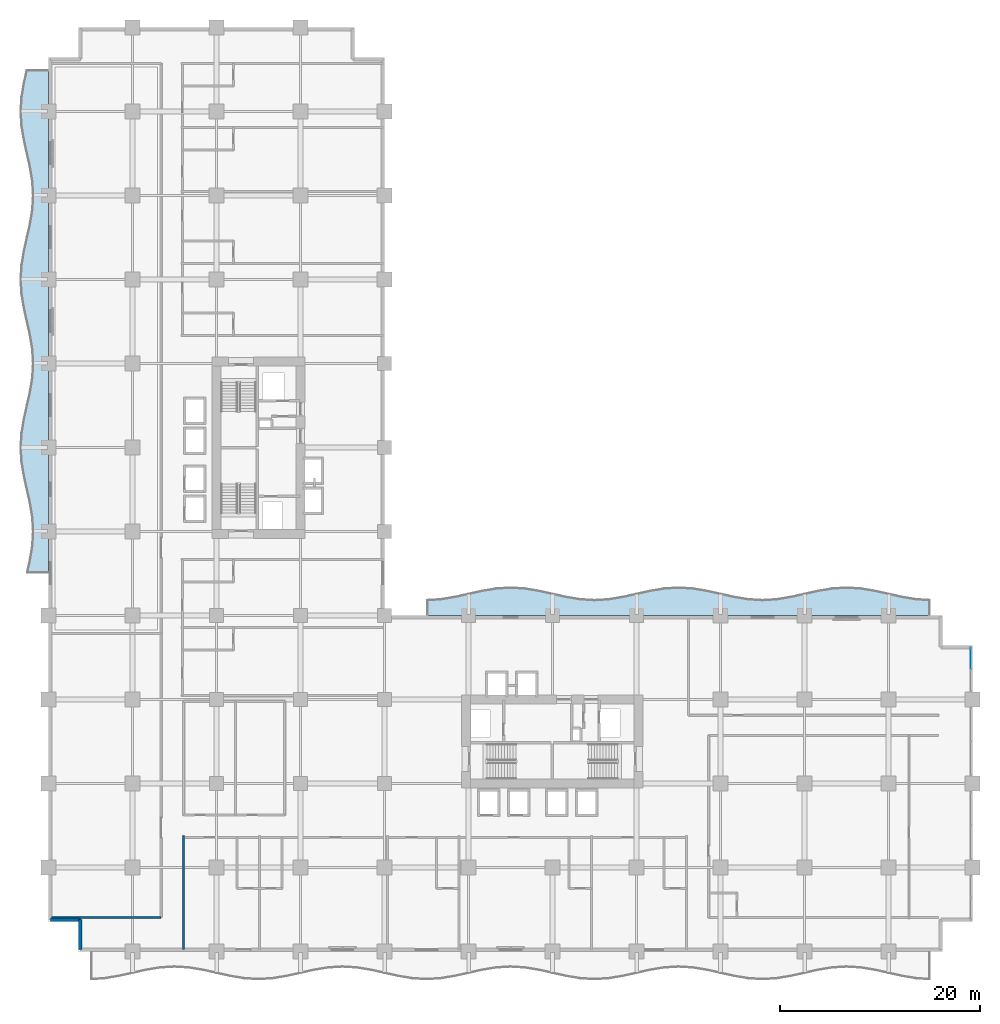
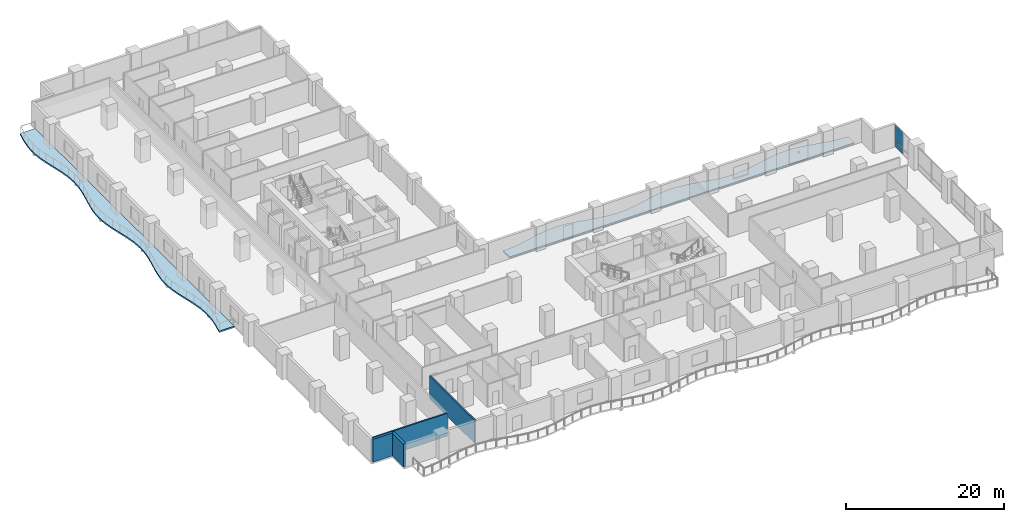
# One storey, part 9 of 27: 4 walls, 2 plates, 2 slabs, 1 element without a shape of its own.
"""IFC4 building model written with IfcOpenShell, lengths in metres."""

from ifc_helpers import new_model, si_unit, direction, frame, frame_2d, origin, origin_2d, place, context, subcontext, project, spatial, polyline, rectangle, outline, extrude, material, layer, layer_set, type_object, element, aggregate, save


model = new_model("IFC4")

# Units and contexts
model_context = context("Model", 3, precision=1e-05, world=origin(), true_north=direction((0.0, 1.0)))
body_context = subcontext(model_context, "Body", "Model", "MODEL_VIEW")
ifc_project = project(units=[si_unit("LENGTHUNIT", "METRE"), si_unit("AREAUNIT", "SQUARE_METRE"), si_unit("VOLUMEUNIT", "CUBIC_METRE"), si_unit("PLANEANGLEUNIT", "RADIAN"), si_unit("MASSUNIT", "GRAM", prefix="KILO")], contexts=[model_context])

# Site, building, storey
site_placement = place(None, origin())
site = spatial("IfcSite", under=ifc_project, at=site_placement, CompositionType="ELEMENT")
building_placement = place(site_placement, origin())
building = spatial("IfcBuilding", under=site, at=building_placement, Name="Koriwani Terraces Tower", CompositionType="ELEMENT")
storey_placement = place(building_placement, frame((0.0, 0.0, 54.800048828125)))
storey = spatial("IfcBuildingStorey", under=building, at=storey_placement, Name="L12", CompositionType="ELEMENT", Elevation=54.800048828125)

# Curtain wall, plates
ifc_material_1 = material(Name="Anodised Bronze Aluminium", Category="aluminium")
ifc_layer_1 = layer(ifc_material_1, 0.179931640625, Name="Anodised Bronze Aluminium")
ifc_layer_set_1 = layer_set([ifc_layer_1], Name="Anodised Bronze Aluminium")
curtain_wall_type = type_object("IfcCurtainWallType", Name="CW_HOTEL_ZONE1", PredefinedType="NOTDEFINED", material=ifc_layer_set_1)
curtain_wall_placement = place(storey_placement, origin())
curtain_wall = element("IfcCurtainWall", 1, at=curtain_wall_placement, inside=storey, type_object=curtain_wall_type, Name="L12 Unitised Curtain Wall (E_TIP) Bay 1", PredefinedType="NOTDEFINED")
ifc_material_2 = material(Name="Tempered Laminated Low-E Glass", Category="glass")
ifc_layer_2 = layer(ifc_material_2, 0.028076171875, Name="Tempered Laminated Low-E Glass")
ifc_layer_set_2 = layer_set([ifc_layer_2], Name="Tempered Laminated Low-E Glass")
plate_type = type_object("IfcPlateType", Name="CW_PANEL_VISION_28", PredefinedType="CURTAIN_PANEL", material=ifc_layer_set_2)
plate_1_placement = place(storey_placement, frame((92.22509765625, 29.302490234375, 0.06494140625), z_axis=(0.0, 0.0, 1.0), x_axis=(0.0, -1.0, 0.0)))
plate_1 = element("IfcPlate", 2, at=plate_1_placement, type_object=plate_type, Name="CW-Z1 panel 1.1", PredefinedType="CURTAIN_PANEL", context=body_context, shape_type="SweptSolid", body=[
    extrude(rectangle(XDim=2.094970703125, YDim=0.028076171875, at=origin_2d()), origin(), (0.0, 0.0, 1.0), 0.802490234375),
])
plate_2_placement = place(storey_placement, frame((92.22509765625, 29.302490234375, 0.9326171875), z_axis=(0.0, 0.0, 1.0), x_axis=(0.0, -1.0, 0.0)))
plate_2 = element("IfcPlate", 3, at=plate_2_placement, type_object=plate_type, Name="CW-Z1 panel 1.2", PredefinedType="CURTAIN_PANEL", context=body_context, shape_type="SweptSolid", body=[
    extrude(rectangle(XDim=2.094970703125, YDim=0.028076171875, at=origin_2d()), origin(), (0.0, 0.0, 1.0), 2.552490234375),
])
aggregate(curtain_wall, [plate_1, plate_2])

# Slabs
ifc_material_3 = material(Name="Concrete C40/50", Category="concrete")
ifc_layer_3 = layer(ifc_material_3, 0.219970703125, Name="Concrete C40/50")
ifc_layer_set_3 = layer_set([ifc_layer_3], Name="Concrete C40/50")
slab_type = type_object("IfcSlabType", Name="SLAB_BALCONY_220", PredefinedType="FLOOR", material=ifc_layer_set_3)
slab_1_placement = place(storey_placement, frame((0.0, 0.0, -0.219970703125)))
element("IfcSlab", 4, at=slab_1_placement, inside=storey, type_object=slab_type, Name="L12 Quilted Circular-Arc Balcony (W)", PredefinedType="FLOOR", context=body_context, shape_type="SweptSolid", body=[
    extrude(outline(polyline([(0.0, 37.800048828125), (0.0, 39.199951171875), (0.0, 40.60009765625), (0.0, 42.0), (0.0, 43.39990234375), (0.0, 44.800048828125), (0.0, 46.199951171875), (0.0, 47.60009765625), (0.0, 49.0), (0.0, 50.39990234375), (0.0, 51.800048828125), (0.0, 53.199951171875), (0.0, 54.60009765625), (0.0, 56.0), (0.0, 57.39990234375), (0.0, 58.800048828125), (0.0, 60.199951171875), (0.0, 61.60009765625), (0.0, 63.0), (0.0, 64.39990234375), (0.0, 65.800048828125), (0.0, 67.199951171875), (0.0, 68.60009765625), (0.0, 70.0), (0.0, 71.39990234375), (0.0, 72.800048828125), (0.0, 74.199951171875), (0.0, 75.60009765625), (0.0, 77.0), (0.0, 78.39990234375), (0.0, 79.800048828125), (0.0, 81.199951171875), (0.0, 82.60009765625), (0.0, 84.0), (0.0, 85.39990234375), (0.0, 86.800048828125), (0.0, 88.199951171875), (-2.22509765625, 88.199951171875), (-2.53759765625, 86.800048828125), (-2.766357421875, 85.39990234375), (-2.85009765625, 84.0), (-2.766357421875, 82.60009765625), (-2.53759765625, 81.199951171875), (-2.22509765625, 79.800048828125), (-1.91259765625, 78.39990234375), (-1.68359375, 77.0), (-1.60009765625, 75.60009765625), (-1.68359375, 74.199951171875), (-1.91259765625, 72.800048828125), (-2.22509765625, 71.39990234375), (-2.53759765625, 70.0), (-2.766357421875, 68.60009765625), (-2.85009765625, 67.199951171875), (-2.766357421875, 65.800048828125), (-2.53759765625, 64.39990234375), (-2.22509765625, 63.0), (-1.91259765625, 61.60009765625), (-1.68359375, 60.199951171875), (-1.60009765625, 58.800048828125), (-1.68359375, 57.39990234375), (-1.91259765625, 56.0), (-2.22509765625, 54.60009765625), (-2.53759765625, 53.199951171875), (-2.766357421875, 51.800048828125), (-2.85009765625, 50.39990234375), (-2.766357421875, 49.0), (-2.53759765625, 47.60009765625), (-2.22509765625, 46.199951171875), (-1.91259765625, 44.800048828125), (-1.68359375, 43.39990234375), (-1.60009765625, 42.0), (-1.68359375, 40.60009765625), (-1.91259765625, 39.199951171875), (-2.22509765625, 37.800048828125), (0.0, 37.800048828125)])), origin(), (0.0, 0.0, 1.0), 0.219970703125),
])
slab_2_placement = place(storey_placement, frame((0.0, 0.0, -0.219970703125)))
element("IfcSlab", 5, at=slab_2_placement, inside=storey, type_object=slab_type, Name="L12 Quilted Circular-Arc Balcony (NE)", PredefinedType="FLOOR", context=body_context, shape_type="SweptSolid", body=[
    extrude(outline(polyline([(88.199951171875, 33.60009765625), (86.800048828125, 33.60009765625), (85.39990234375, 33.60009765625), (84.0, 33.60009765625), (82.60009765625, 33.60009765625), (81.199951171875, 33.60009765625), (79.800048828125, 33.60009765625), (78.39990234375, 33.60009765625), (77.0, 33.60009765625), (75.60009765625, 33.60009765625), (74.199951171875, 33.60009765625), (72.800048828125, 33.60009765625), (71.39990234375, 33.60009765625), (70.0, 33.60009765625), (68.60009765625, 33.60009765625), (67.199951171875, 33.60009765625), (65.800048828125, 33.60009765625), (64.39990234375, 33.60009765625), (63.0, 33.60009765625), (61.60009765625, 33.60009765625), (60.199951171875, 33.60009765625), (58.800048828125, 33.60009765625), (57.39990234375, 33.60009765625), (56.0, 33.60009765625), (54.60009765625, 33.60009765625), (53.199951171875, 33.60009765625), (51.800048828125, 33.60009765625), (50.39990234375, 33.60009765625), (49.0, 33.60009765625), (47.60009765625, 33.60009765625), (46.199951171875, 33.60009765625), (44.800048828125, 33.60009765625), (43.39990234375, 33.60009765625), (42.0, 33.60009765625), (40.60009765625, 33.60009765625), (39.199951171875, 33.60009765625), (37.800048828125, 33.60009765625), (37.800048828125, 35.199951171875), (39.199951171875, 35.28369140625), (40.60009765625, 35.512451171875), (42.0, 35.824951171875), (43.39990234375, 36.137451171875), (44.800048828125, 36.3662109375), (46.199951171875, 36.449951171875), (47.60009765625, 36.3662109375), (49.0, 36.137451171875), (50.39990234375, 35.824951171875), (51.800048828125, 35.512451171875), (53.199951171875, 35.28369140625), (54.60009765625, 35.199951171875), (56.0, 35.28369140625), (57.39990234375, 35.512451171875), (58.800048828125, 35.824951171875), (60.199951171875, 36.137451171875), (61.60009765625, 36.3662109375), (63.0, 36.449951171875), (64.39990234375, 36.3662109375), (65.800048828125, 36.137451171875), (67.199951171875, 35.824951171875), (68.60009765625, 35.512451171875), (70.0, 35.28369140625), (71.39990234375, 35.199951171875), (72.800048828125, 35.28369140625), (74.199951171875, 35.512451171875), (75.60009765625, 35.824951171875), (77.0, 36.137451171875), (78.39990234375, 36.3662109375), (79.800048828125, 36.449951171875), (81.199951171875, 36.3662109375), (82.60009765625, 36.137451171875), (84.0, 35.824951171875), (85.39990234375, 35.512451171875), (86.800048828125, 35.28369140625), (88.199951171875, 35.199951171875), (88.199951171875, 33.60009765625)])), origin(), (0.0, 0.0, 1.0), 0.219970703125),
])

# Walls
ifc_material_4 = material(Name="Autoclaved Cellular Concrete Blockwork", Category="masonry")
ifc_layer_4 = layer(ifc_material_4, 0.219970703125, Name="Autoclaved Cellular Concrete Blockwork")
ifc_layer_set_4 = layer_set([ifc_layer_4], Name="Autoclaved Cellular Concrete Blockwork")
wall_type_1 = type_object("IfcWallType", Name="WALL_DEMISING_220", PredefinedType="PARTITIONING", material=ifc_layer_set_4)
wall_1_placement = place(storey_placement, frame((0.300048828125, 3.39990234375, 0.0), z_axis=(0.0, 0.0, 1.0), x_axis=(1.0, 0.0, 0.0)))
element("IfcWall", 6, at=wall_1_placement, inside=storey, type_object=wall_type_1, Name="L12 Interior Wall WZ1NWCLS-L12", PredefinedType="PARTITIONING", context=body_context, shape_type="SweptSolid", body=[
    extrude(rectangle(XDim=10.949951171875, YDim=0.219970703125, at=frame_2d((5.47509765625, 0.0))), origin(), (0.0, 0.0, 1.0), 3.550048828125),
])
wall_2_placement = place(storey_placement, frame((13.5, 0.199951171875, 0.0), z_axis=(0.0, 0.0, 1.0), x_axis=(0.0, 1.0, 0.0)))
element("IfcWall", 7, at=wall_2_placement, inside=storey, type_object=wall_type_1, Name="L12 Interior Wall WDEM-L12-SW-0", PredefinedType="PARTITIONING", context=body_context, shape_type="SweptSolid", body=[
    extrude(rectangle(XDim=11.380126953125, YDim=0.219970703125, at=frame_2d((5.68994140625, 0.0))), origin(), (0.0, 0.0, 1.0), 3.550048828125),
])
ifc_material_5 = material(Name="Concrete C50/60", Category="concrete")
ifc_layer_5 = layer(ifc_material_5, 0.35009765625, Name="Concrete C50/60")
ifc_layer_set_5 = layer_set([ifc_layer_5], Name="Concrete C50/60")
wall_type_2 = type_object("IfcWallType", Name="WALL_EXT_BRUTALIST_350", PredefinedType="STANDARD", material=ifc_layer_set_5)
for number, where, z_axis, x_axis, name in (
    (8, (3.175048828125, 0.175048828125, 0.0), (0.0, 0.0, 1.0), (0.0, 1.0, 0.0), "L12 Fair-Faced Brutalist Exterior Wall (N0)"),
    (9, (3.175048828125, 3.175048828125, 0.0), (0.0, 0.0, 1.0), (-1.0, 0.0, 0.0), "L12 Fair-Faced Brutalist Exterior Wall (N1)"),
):
    element("IfcWall", number, at=place(storey_placement, frame(where, z_axis=z_axis, x_axis=x_axis)), inside=storey, type_object=wall_type_2, Name=name, PredefinedType="STANDARD", context=body_context, shape_type="SweptSolid", body=[
        extrude(rectangle(XDim=3.0, YDim=0.35009765625, at=frame_2d((1.5, 0.0))), origin(), (0.0, 0.0, 1.0), 3.550048828125),
    ])

save(model, "model.ifc")
